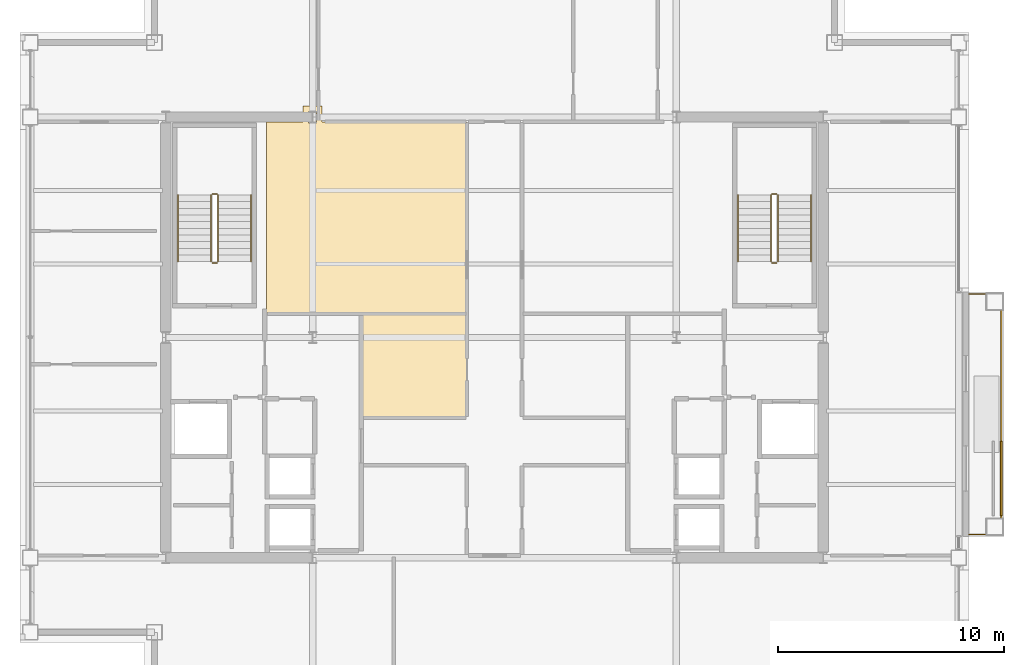
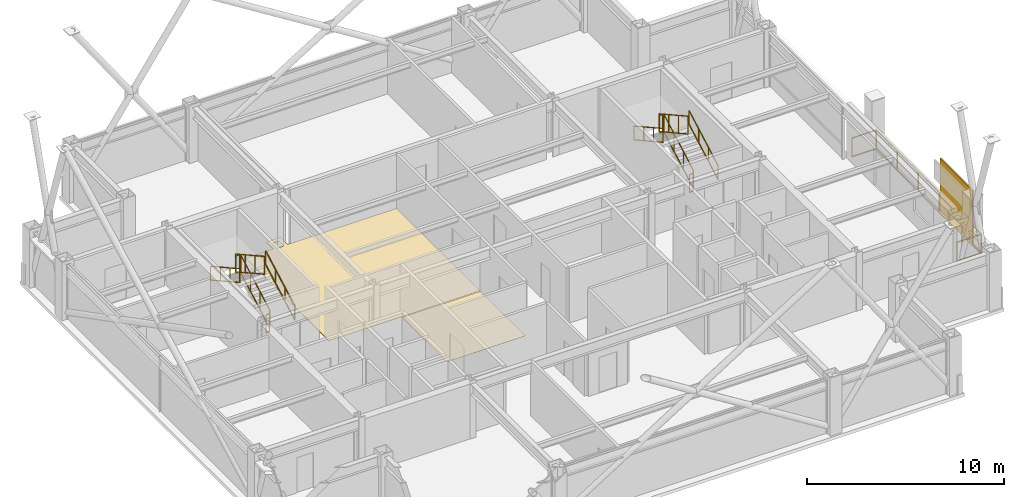
# One storey, part 32 of 33: 13 railings, 2 coverings, 1 shading device.
"""IFC4 building model written with IfcOpenShell, lengths in metres."""

from ifc_helpers import new_model, si_unit, direction, frame, origin, origin_2d, place, context, subcontext, project, spatial, polyline, rectangle, outline, extrude, material, layer, layer_set, type_object, element, save


model = new_model("IFC4")

# Units and contexts
model_context = context("Model", 3, precision=1e-05, world=origin(), true_north=direction((0.0, 1.0)))
body_context = subcontext(model_context, "Body", "Model", "MODEL_VIEW")
ifc_project = project(units=[si_unit("LENGTHUNIT", "METRE"), si_unit("AREAUNIT", "SQUARE_METRE"), si_unit("VOLUMEUNIT", "CUBIC_METRE"), si_unit("PLANEANGLEUNIT", "RADIAN"), si_unit("MASSUNIT", "GRAM", prefix="KILO")], contexts=[model_context])

# Site, building, storey
site_placement = place(None, origin())
site = spatial("IfcSite", under=ifc_project, at=site_placement, CompositionType="ELEMENT")
building_placement = place(site_placement, origin())
building = spatial("IfcBuilding", under=site, at=building_placement, Name="Brelmoor Portico Tower", CompositionType="ELEMENT")
storey_placement = place(building_placement, frame((0.0, 0.0, 194.699951171875)))
storey = spatial("IfcBuildingStorey", under=building, at=storey_placement, Name="L51", CompositionType="ELEMENT", Elevation=194.699951171875)

# Coverings
ifc_material_1 = material(Name="Solution-Dyed Nylon Acoustic Carpet Tile", Category="textile")
ifc_layer_1 = layer(ifc_material_1, 0.013916015625)
ifc_layer_set_1 = layer_set([ifc_layer_1], Name="Solution-Dyed Nylon Acoustic Carpet Tile")
covering_type_1 = type_object("IfcCoveringType", Name="CV-FLR-CARPET-14", PredefinedType="FLOORING", material=ifc_layer_set_1)
covering_1_placement = place(storey_placement, origin())
element("IfcCovering", 1, at=covering_1_placement, inside=storey, type_object=covering_type_1, Name="L51 Architectural Floor Finish 01", PredefinedType="FLOORING", context=body_context, shape_type="SweptSolid", body=[
    extrude(outline(polyline([(-10.080078125, 9.530029296875), (-8.47509765625, 9.530029296875), (-8.47509765625, 10.25), (-7.625, 10.25), (-7.625, 9.530029296875), (-1.239990234375, 9.530029296875), (-1.239990234375, 1.090087890625), (-10.080078125, 1.090087890625), (-10.080078125, 9.530029296875)]), holes=[polyline([(-7.875, 9.5), (-7.875, 10.0), (-8.22509765625, 10.0), (-8.22509765625, 9.5), (-7.875, 9.5)])]), origin(), (0.0, 0.0, 1.0), 0.01416015625),
])
ifc_material_2 = material(Name="Rectified Vitrified Porcelain Floor Tile", Category="ceramic")
ifc_layer_2 = layer(ifc_material_2, 0.01806640625)
ifc_layer_set_2 = layer_set([ifc_layer_2], Name="Rectified Vitrified Porcelain Floor Tile")
covering_type_2 = type_object("IfcCoveringType", Name="CV-FLR-PORCELAIN-18", PredefinedType="FLOORING", material=ifc_layer_set_2)
covering_2_placement = place(storey_placement, origin())
element("IfcCovering", 2, at=covering_2_placement, inside=storey, type_object=covering_type_2, Name="L51 Architectural Floor Finish 02", PredefinedType="FLOORING", context=body_context, shape_type="SweptSolid", body=[
    extrude(outline(polyline([(-5.820068359375, -3.510009765625), (-5.820068359375, 1.0400390625), (-1.239990234375, 1.0400390625), (-1.239990234375, -3.510009765625), (-5.820068359375, -3.510009765625)])), origin(), (0.0, 0.0, 1.0), 0.01806640625),
])

# Railings
ifc_material_3 = material(Name="Perforated Pale Champagne Aluminium Fretwork Guard", Category="aluminium")
railing_type_1 = type_object("IfcRailingType", Name="RL-BALUSTRADE-1200", PredefinedType="BALUSTRADE", material=ifc_material_3)
railing_1_placement = place(storey_placement, frame((21.0, -8.719970703125, 0.0)))
element("IfcRailing", 3, at=railing_1_placement, inside=storey, type_object=railing_type_1, Name="L51 Tree Balcony Fretwork Balustrade E", PredefinedType="BALUSTRADE", context=body_context, shape_type="SweptSolid", body=[
    extrude(rectangle(XDim=0.048095703125, YDim=0.048095703125, at=origin_2d()), frame((0.0, 0.0, 1.17578125), z_axis=(1.0, 0.0, 0.0), x_axis=(0.0, 1.0, 0.0)), (0.0, 0.0, 1.0), 1.429931640625),
    extrude(rectangle(XDim=0.048095703125, YDim=0.048095703125, at=origin_2d()), frame((0.0, 0.0, 0.02392578125), z_axis=(1.0, 0.0, 0.0), x_axis=(0.0, 1.0, 0.0)), (0.0, 0.0, 1.0), 1.429931640625),
    extrude(rectangle(XDim=0.048095703125, YDim=0.048095703125, at=origin_2d()), frame((1.429931640625, 0.0, 1.17578125), z_axis=(0.0, 1.0, 0.0), x_axis=(-1.0, 0.0, 0.0)), (0.0, 0.0, 1.0), 10.639892578125),
    extrude(rectangle(XDim=0.048095703125, YDim=0.048095703125, at=origin_2d()), frame((1.429931640625, 0.0, 0.02392578125), z_axis=(0.0, 1.0, 0.0), x_axis=(-1.0, 0.0, 0.0)), (0.0, 0.0, 1.0), 10.639892578125),
    extrude(rectangle(XDim=0.048095703125, YDim=0.048095703125, at=origin_2d()), frame((1.429931640625, 10.639892578125, 1.17578125), z_axis=(-1.0, 0.0, 0.0), x_axis=(0.0, -1.0, 0.0)), (0.0, 0.0, 1.0), 1.429931640625),
    extrude(rectangle(XDim=0.048095703125, YDim=0.048095703125, at=origin_2d()), frame((1.429931640625, 10.639892578125, 0.02392578125), z_axis=(-1.0, 0.0, 0.0), x_axis=(0.0, -1.0, 0.0)), (0.0, 0.0, 1.0), 1.429931640625),
    extrude(rectangle(XDim=0.0419921875, YDim=0.0419921875, at=origin_2d()), origin(), (0.0, 0.0, 1.0), 1.15185546875),
    extrude(rectangle(XDim=0.0419921875, YDim=0.0419921875, at=origin_2d()), frame((1.429931640625, 0.0, 0.0)), (0.0, 0.0, 1.0), 1.15185546875),
    extrude(rectangle(XDim=0.0419921875, YDim=0.0419921875, at=origin_2d()), frame((1.429931640625, 2.1279296875, 0.0)), (0.0, 0.0, 1.0), 1.15185546875),
    extrude(rectangle(XDim=0.0419921875, YDim=0.0419921875, at=origin_2d()), frame((1.429931640625, 4.255859375, 0.0)), (0.0, 0.0, 1.0), 1.15185546875),
    extrude(rectangle(XDim=0.0419921875, YDim=0.0419921875, at=origin_2d()), frame((1.429931640625, 6.384033203125, 0.0)), (0.0, 0.0, 1.0), 1.15185546875),
    extrude(rectangle(XDim=0.0419921875, YDim=0.0419921875, at=origin_2d()), frame((1.429931640625, 8.511962890625, 0.0)), (0.0, 0.0, 1.0), 1.15185546875),
    extrude(rectangle(XDim=0.0419921875, YDim=0.0419921875, at=origin_2d()), frame((1.429931640625, 10.639892578125, 0.0)), (0.0, 0.0, 1.0), 1.15185546875),
    extrude(rectangle(XDim=0.0419921875, YDim=0.0419921875, at=origin_2d()), frame((0.0, 10.639892578125, 0.0)), (0.0, 0.0, 1.0), 1.15185546875),
])
ifc_material_4 = material(Name="Painted Tubular Steel Q235B", Category="steel")
railing_type_2 = type_object("IfcRailingType", Name="RL-STAIR-GUARD", PredefinedType="GUARDRAIL", material=ifc_material_4)
railing_2_placement = place(storey_placement, frame((-12.239990234375, 3.35009765625, 0.16357421875)))
element("IfcRailing", 4, at=railing_2_placement, inside=storey, type_object=railing_type_2, Name="L51 ST-W stair guard 1", PredefinedType="GUARDRAIL", context=body_context, shape_type="SweptSolid", body=[
    extrude(rectangle(XDim=0.048095703125, YDim=0.048095703125, at=origin_2d()), frame((0.0, 0.0, 1.1259765625), z_axis=(0.0, 0.874457516365, 0.485102104791), x_axis=(-1.0, 0.0, 0.0)), (0.0, 0.0, 1.0), 3.37353515625),
    extrude(rectangle(XDim=0.048095703125, YDim=0.048095703125, at=origin_2d()), frame((0.0, 0.0, 0.02392578125), z_axis=(0.0, 0.874457516365, 0.485102104791), x_axis=(-1.0, 0.0, 0.0)), (0.0, 0.0, 1.0), 3.37353515625),
    extrude(rectangle(XDim=0.0419921875, YDim=0.0419921875, at=origin_2d()), origin(), (0.0, 0.0, 1.0), 1.101806640625),
    extrude(rectangle(XDim=0.0419921875, YDim=0.0419921875, at=origin_2d()), frame((0.0, 0.9833984375, 0.54541015625)), (0.0, 0.0, 1.0), 1.101806640625),
    extrude(rectangle(XDim=0.0419921875, YDim=0.0419921875, at=origin_2d()), frame((0.0, 1.966552734375, 1.091064453125)), (0.0, 0.0, 1.0), 1.101806640625),
    extrude(rectangle(XDim=0.0419921875, YDim=0.0419921875, at=origin_2d()), frame((0.0, 2.949951171875, 1.636474609375)), (0.0, 0.0, 1.0), 1.101806640625),
])
railing_3_placement = place(storey_placement, frame((-12.2900390625, 6.35009765625, 1.800048828125)))
element("IfcRailing", 5, at=railing_3_placement, inside=storey, type_object=railing_type_2, Name="L51 ST-W stair guard 2", PredefinedType="GUARDRAIL", context=body_context, shape_type="SweptSolid", body=[
    extrude(rectangle(XDim=0.048095703125, YDim=0.048095703125, at=origin_2d()), frame((0.0, 0.0, 1.1259765625), z_axis=(-1.0, 0.0, 0.0), x_axis=(0.0, -1.0, 0.0)), (0.0, 0.0, 1.0), 0.199951171875),
    extrude(rectangle(XDim=0.048095703125, YDim=0.048095703125, at=origin_2d()), frame((0.0, 0.0, 0.02392578125), z_axis=(-1.0, 0.0, 0.0), x_axis=(0.0, -1.0, 0.0)), (0.0, 0.0, 1.0), 0.199951171875),
    extrude(rectangle(XDim=0.0419921875, YDim=0.0419921875, at=origin_2d()), origin(), (0.0, 0.0, 1.0), 1.101806640625),
    extrude(rectangle(XDim=0.0419921875, YDim=0.0419921875, at=origin_2d()), frame((-0.199951171875, 0.0, 0.0)), (0.0, 0.0, 1.0), 1.101806640625),
])
railing_4_placement = place(storey_placement, frame((-12.5400390625, 6.300048828125, 1.963623046875)))
element("IfcRailing", 6, at=railing_4_placement, inside=storey, type_object=railing_type_2, Name="L51 ST-W stair guard 3", PredefinedType="GUARDRAIL", context=body_context, shape_type="SweptSolid", body=[
    extrude(rectangle(XDim=0.048095703125, YDim=0.048095703125, at=origin_2d()), frame((0.0, 0.0, 1.1259765625), z_axis=(0.0, -0.874457516365, 0.485102104791), x_axis=(1.0, 0.0, 0.0)), (0.0, 0.0, 1.0), 3.37353515625),
    extrude(rectangle(XDim=0.048095703125, YDim=0.048095703125, at=origin_2d()), frame((0.0, 0.0, 0.02392578125), z_axis=(0.0, -0.874457516365, 0.485102104791), x_axis=(1.0, 0.0, 0.0)), (0.0, 0.0, 1.0), 3.37353515625),
    extrude(rectangle(XDim=0.0419921875, YDim=0.0419921875, at=origin_2d()), origin(), (0.0, 0.0, 1.0), 1.101806640625),
    extrude(rectangle(XDim=0.0419921875, YDim=0.0419921875, at=origin_2d()), frame((0.0, -0.9833984375, 0.54541015625)), (0.0, 0.0, 1.0), 1.101806640625),
    extrude(rectangle(XDim=0.0419921875, YDim=0.0419921875, at=origin_2d()), frame((0.0, -1.966552734375, 1.091064453125)), (0.0, 0.0, 1.0), 1.101806640625),
    extrude(rectangle(XDim=0.0419921875, YDim=0.0419921875, at=origin_2d()), frame((0.0, -2.949951171875, 1.636474609375)), (0.0, 0.0, 1.0), 1.101806640625),
])
railing_5_placement = place(storey_placement, frame((-12.2900390625, 3.300048828125, 0.0)))
element("IfcRailing", 7, at=railing_5_placement, inside=storey, type_object=railing_type_2, Name="L51 ST-W stair guard 4", PredefinedType="GUARDRAIL", context=body_context, shape_type="SweptSolid", body=[
    extrude(rectangle(XDim=0.048095703125, YDim=0.048095703125, at=origin_2d()), frame((0.0, 0.0, 1.1259765625), z_axis=(-1.0, 0.0, 0.0), x_axis=(0.0, -1.0, 0.0)), (0.0, 0.0, 1.0), 0.199951171875),
    extrude(rectangle(XDim=0.048095703125, YDim=0.048095703125, at=origin_2d()), frame((0.0, 0.0, 0.02392578125), z_axis=(-1.0, 0.0, 0.0), x_axis=(0.0, -1.0, 0.0)), (0.0, 0.0, 1.0), 0.199951171875),
    extrude(rectangle(XDim=0.0419921875, YDim=0.0419921875, at=origin_2d()), origin(), (0.0, 0.0, 1.0), 1.101806640625),
    extrude(rectangle(XDim=0.0419921875, YDim=0.0419921875, at=origin_2d()), frame((-0.199951171875, 0.0, 0.0)), (0.0, 0.0, 1.0), 1.101806640625),
])
railing_6_placement = place(storey_placement, frame((12.5400390625, 3.35009765625, 0.16357421875)))
element("IfcRailing", 8, at=railing_6_placement, inside=storey, type_object=railing_type_2, Name="L51 ST-E stair guard 1", PredefinedType="GUARDRAIL", context=body_context, shape_type="SweptSolid", body=[
    extrude(rectangle(XDim=0.048095703125, YDim=0.048095703125, at=origin_2d()), frame((0.0, 0.0, 1.1259765625), z_axis=(0.0, 0.874457516365, 0.485102104791), x_axis=(-1.0, 0.0, 0.0)), (0.0, 0.0, 1.0), 3.37353515625),
    extrude(rectangle(XDim=0.048095703125, YDim=0.048095703125, at=origin_2d()), frame((0.0, 0.0, 0.02392578125), z_axis=(0.0, 0.874457516365, 0.485102104791), x_axis=(-1.0, 0.0, 0.0)), (0.0, 0.0, 1.0), 3.37353515625),
    extrude(rectangle(XDim=0.0419921875, YDim=0.0419921875, at=origin_2d()), origin(), (0.0, 0.0, 1.0), 1.101806640625),
    extrude(rectangle(XDim=0.0419921875, YDim=0.0419921875, at=origin_2d()), frame((0.0, 0.9833984375, 0.54541015625)), (0.0, 0.0, 1.0), 1.101806640625),
    extrude(rectangle(XDim=0.0419921875, YDim=0.0419921875, at=origin_2d()), frame((0.0, 1.966552734375, 1.091064453125)), (0.0, 0.0, 1.0), 1.101806640625),
    extrude(rectangle(XDim=0.0419921875, YDim=0.0419921875, at=origin_2d()), frame((0.0, 2.949951171875, 1.636474609375)), (0.0, 0.0, 1.0), 1.101806640625),
])
railing_7_placement = place(storey_placement, frame((12.489990234375, 6.35009765625, 1.800048828125)))
element("IfcRailing", 9, at=railing_7_placement, inside=storey, type_object=railing_type_2, Name="L51 ST-E stair guard 2", PredefinedType="GUARDRAIL", context=body_context, shape_type="SweptSolid", body=[
    extrude(rectangle(XDim=0.048095703125, YDim=0.048095703125, at=origin_2d()), frame((0.0, 0.0, 1.1259765625), z_axis=(-1.0, 0.0, 0.0), x_axis=(0.0, -1.0, 0.0)), (0.0, 0.0, 1.0), 0.199951171875),
    extrude(rectangle(XDim=0.048095703125, YDim=0.048095703125, at=origin_2d()), frame((0.0, 0.0, 0.02392578125), z_axis=(-1.0, 0.0, 0.0), x_axis=(0.0, -1.0, 0.0)), (0.0, 0.0, 1.0), 0.199951171875),
    extrude(rectangle(XDim=0.0419921875, YDim=0.0419921875, at=origin_2d()), origin(), (0.0, 0.0, 1.0), 1.101806640625),
    extrude(rectangle(XDim=0.0419921875, YDim=0.0419921875, at=origin_2d()), frame((-0.199951171875, 0.0, 0.0)), (0.0, 0.0, 1.0), 1.101806640625),
])
railing_8_placement = place(storey_placement, frame((12.239990234375, 6.300048828125, 1.963623046875)))
element("IfcRailing", 10, at=railing_8_placement, inside=storey, type_object=railing_type_2, Name="L51 ST-E stair guard 3", PredefinedType="GUARDRAIL", context=body_context, shape_type="SweptSolid", body=[
    extrude(rectangle(XDim=0.048095703125, YDim=0.048095703125, at=origin_2d()), frame((0.0, 0.0, 1.1259765625), z_axis=(0.0, -0.874457516365, 0.485102104791), x_axis=(1.0, 0.0, 0.0)), (0.0, 0.0, 1.0), 3.37353515625),
    extrude(rectangle(XDim=0.048095703125, YDim=0.048095703125, at=origin_2d()), frame((0.0, 0.0, 0.02392578125), z_axis=(0.0, -0.874457516365, 0.485102104791), x_axis=(1.0, 0.0, 0.0)), (0.0, 0.0, 1.0), 3.37353515625),
    extrude(rectangle(XDim=0.0419921875, YDim=0.0419921875, at=origin_2d()), origin(), (0.0, 0.0, 1.0), 1.101806640625),
    extrude(rectangle(XDim=0.0419921875, YDim=0.0419921875, at=origin_2d()), frame((0.0, -0.9833984375, 0.54541015625)), (0.0, 0.0, 1.0), 1.101806640625),
    extrude(rectangle(XDim=0.0419921875, YDim=0.0419921875, at=origin_2d()), frame((0.0, -1.966552734375, 1.091064453125)), (0.0, 0.0, 1.0), 1.101806640625),
    extrude(rectangle(XDim=0.0419921875, YDim=0.0419921875, at=origin_2d()), frame((0.0, -2.949951171875, 1.636474609375)), (0.0, 0.0, 1.0), 1.101806640625),
])
railing_9_placement = place(storey_placement, frame((12.489990234375, 3.300048828125, 0.0)))
element("IfcRailing", 11, at=railing_9_placement, inside=storey, type_object=railing_type_2, Name="L51 ST-E stair guard 4", PredefinedType="GUARDRAIL", context=body_context, shape_type="SweptSolid", body=[
    extrude(rectangle(XDim=0.048095703125, YDim=0.048095703125, at=origin_2d()), frame((0.0, 0.0, 1.1259765625), z_axis=(-1.0, 0.0, 0.0), x_axis=(0.0, -1.0, 0.0)), (0.0, 0.0, 1.0), 0.199951171875),
    extrude(rectangle(XDim=0.048095703125, YDim=0.048095703125, at=origin_2d()), frame((0.0, 0.0, 0.02392578125), z_axis=(-1.0, 0.0, 0.0), x_axis=(0.0, -1.0, 0.0)), (0.0, 0.0, 1.0), 0.199951171875),
    extrude(rectangle(XDim=0.0419921875, YDim=0.0419921875, at=origin_2d()), origin(), (0.0, 0.0, 1.0), 1.101806640625),
    extrude(rectangle(XDim=0.0419921875, YDim=0.0419921875, at=origin_2d()), frame((-0.199951171875, 0.0, 0.0)), (0.0, 0.0, 1.0), 1.101806640625),
])
ifc_material_5 = material(Name="Brushed Stainless Steel 304", Category="steel")
railing_type_3 = type_object("IfcRailingType", Name="RL-STAIR-HANDRAIL", PredefinedType="HANDRAIL", material=ifc_material_5)
railing_10_placement = place(storey_placement, frame((-10.780029296875, 3.35009765625, 0.16357421875)))
element("IfcRailing", 12, at=railing_10_placement, inside=storey, type_object=railing_type_3, Name="L51 ST-W stair handrail 1", PredefinedType="HANDRAIL", context=body_context, shape_type="SweptSolid", body=[
    extrude(rectangle(XDim=0.048095703125, YDim=0.048095703125, at=origin_2d()), frame((0.0, 0.0, 0.8759765625), z_axis=(0.0, 0.874457516365, 0.485102104791), x_axis=(-1.0, 0.0, 0.0)), (0.0, 0.0, 1.0), 3.37353515625),
    extrude(rectangle(XDim=0.048095703125, YDim=0.048095703125, at=origin_2d()), frame((0.0, 0.0, 0.02392578125), z_axis=(0.0, 0.874457516365, 0.485102104791), x_axis=(-1.0, 0.0, 0.0)), (0.0, 0.0, 1.0), 3.37353515625),
    extrude(rectangle(XDim=0.0419921875, YDim=0.0419921875, at=origin_2d()), origin(), (0.0, 0.0, 1.0), 0.851806640625),
    extrude(rectangle(XDim=0.0419921875, YDim=0.0419921875, at=origin_2d()), frame((0.0, 0.9833984375, 0.54541015625)), (0.0, 0.0, 1.0), 0.851806640625),
    extrude(rectangle(XDim=0.0419921875, YDim=0.0419921875, at=origin_2d()), frame((0.0, 1.966552734375, 1.091064453125)), (0.0, 0.0, 1.0), 0.851806640625),
    extrude(rectangle(XDim=0.0419921875, YDim=0.0419921875, at=origin_2d()), frame((0.0, 2.949951171875, 1.636474609375)), (0.0, 0.0, 1.0), 0.851806640625),
])
railing_11_placement = place(storey_placement, frame((-14.0, 6.300048828125, 1.963623046875)))
element("IfcRailing", 13, at=railing_11_placement, inside=storey, type_object=railing_type_3, Name="L51 ST-W stair handrail 2", PredefinedType="HANDRAIL", context=body_context, shape_type="SweptSolid", body=[
    extrude(rectangle(XDim=0.048095703125, YDim=0.048095703125, at=origin_2d()), frame((0.0, 0.0, 0.8759765625), z_axis=(0.0, -0.874457516365, 0.485102104791), x_axis=(1.0, 0.0, 0.0)), (0.0, 0.0, 1.0), 3.37353515625),
    extrude(rectangle(XDim=0.048095703125, YDim=0.048095703125, at=origin_2d()), frame((0.0, 0.0, 0.02392578125), z_axis=(0.0, -0.874457516365, 0.485102104791), x_axis=(1.0, 0.0, 0.0)), (0.0, 0.0, 1.0), 3.37353515625),
    extrude(rectangle(XDim=0.0419921875, YDim=0.0419921875, at=origin_2d()), origin(), (0.0, 0.0, 1.0), 0.851806640625),
    extrude(rectangle(XDim=0.0419921875, YDim=0.0419921875, at=origin_2d()), frame((0.0, -0.9833984375, 0.54541015625)), (0.0, 0.0, 1.0), 0.851806640625),
    extrude(rectangle(XDim=0.0419921875, YDim=0.0419921875, at=origin_2d()), frame((0.0, -1.966552734375, 1.091064453125)), (0.0, 0.0, 1.0), 0.851806640625),
    extrude(rectangle(XDim=0.0419921875, YDim=0.0419921875, at=origin_2d()), frame((0.0, -2.949951171875, 1.636474609375)), (0.0, 0.0, 1.0), 0.851806640625),
])
railing_12_placement = place(storey_placement, frame((14.0, 3.35009765625, 0.16357421875)))
element("IfcRailing", 14, at=railing_12_placement, inside=storey, type_object=railing_type_3, Name="L51 ST-E stair handrail 1", PredefinedType="HANDRAIL", context=body_context, shape_type="SweptSolid", body=[
    extrude(rectangle(XDim=0.048095703125, YDim=0.048095703125, at=origin_2d()), frame((0.0, 0.0, 0.8759765625), z_axis=(0.0, 0.874457516365, 0.485102104791), x_axis=(-1.0, 0.0, 0.0)), (0.0, 0.0, 1.0), 3.37353515625),
    extrude(rectangle(XDim=0.048095703125, YDim=0.048095703125, at=origin_2d()), frame((0.0, 0.0, 0.02392578125), z_axis=(0.0, 0.874457516365, 0.485102104791), x_axis=(-1.0, 0.0, 0.0)), (0.0, 0.0, 1.0), 3.37353515625),
    extrude(rectangle(XDim=0.0419921875, YDim=0.0419921875, at=origin_2d()), origin(), (0.0, 0.0, 1.0), 0.851806640625),
    extrude(rectangle(XDim=0.0419921875, YDim=0.0419921875, at=origin_2d()), frame((0.0, 0.9833984375, 0.54541015625)), (0.0, 0.0, 1.0), 0.851806640625),
    extrude(rectangle(XDim=0.0419921875, YDim=0.0419921875, at=origin_2d()), frame((0.0, 1.966552734375, 1.091064453125)), (0.0, 0.0, 1.0), 0.851806640625),
    extrude(rectangle(XDim=0.0419921875, YDim=0.0419921875, at=origin_2d()), frame((0.0, 2.949951171875, 1.636474609375)), (0.0, 0.0, 1.0), 0.851806640625),
])
railing_13_placement = place(storey_placement, frame((10.780029296875, 6.300048828125, 1.963623046875)))
element("IfcRailing", 15, at=railing_13_placement, inside=storey, type_object=railing_type_3, Name="L51 ST-E stair handrail 2", PredefinedType="HANDRAIL", context=body_context, shape_type="SweptSolid", body=[
    extrude(rectangle(XDim=0.048095703125, YDim=0.048095703125, at=origin_2d()), frame((0.0, 0.0, 0.8759765625), z_axis=(0.0, -0.874457516365, 0.485102104791), x_axis=(1.0, 0.0, 0.0)), (0.0, 0.0, 1.0), 3.37353515625),
    extrude(rectangle(XDim=0.048095703125, YDim=0.048095703125, at=origin_2d()), frame((0.0, 0.0, 0.02392578125), z_axis=(0.0, -0.874457516365, 0.485102104791), x_axis=(1.0, 0.0, 0.0)), (0.0, 0.0, 1.0), 3.37353515625),
    extrude(rectangle(XDim=0.0419921875, YDim=0.0419921875, at=origin_2d()), origin(), (0.0, 0.0, 1.0), 0.851806640625),
    extrude(rectangle(XDim=0.0419921875, YDim=0.0419921875, at=origin_2d()), frame((0.0, -0.9833984375, 0.54541015625)), (0.0, 0.0, 1.0), 0.851806640625),
    extrude(rectangle(XDim=0.0419921875, YDim=0.0419921875, at=origin_2d()), frame((0.0, -1.966552734375, 1.091064453125)), (0.0, 0.0, 1.0), 0.851806640625),
    extrude(rectangle(XDim=0.0419921875, YDim=0.0419921875, at=origin_2d()), frame((0.0, -2.949951171875, 1.636474609375)), (0.0, 0.0, 1.0), 0.851806640625),
])

# Shading device
ifc_material_6 = material(Name="Powder-Coated Aluminium Shuttered Jalousie", Category="aluminium")
ifc_layer_3 = layer(ifc_material_6, 0.080078125)
ifc_layer_set_3 = layer_set([ifc_layer_3], Name="Powder-Coated Aluminium Shuttered Jalousie")
shading_device_type = type_object("IfcShadingDeviceType", Name="SD-JALOUSIE-LOGGIA", PredefinedType="JALOUSIE", material=ifc_layer_set_3)
shading_device_placement = place(storey_placement, frame((22.429931640625, -6.25, 0.0), z_axis=(0.0, 0.0, 1.0), x_axis=(0.0, 1.0, 0.0)))
element("IfcShadingDevice", 16, at=shading_device_placement, inside=storey, type_object=shading_device_type, Name="L51 Loggia Shuttered Jalousie E", PredefinedType="JALOUSIE", context=body_context, shape_type="SweptSolid", body=[
    extrude(rectangle(XDim=3.300048828125, YDim=0.080078125, at=origin_2d()), origin(), (0.0, 0.0, 1.0), 3.39990234375),
])

save(model, "model.ifc")
